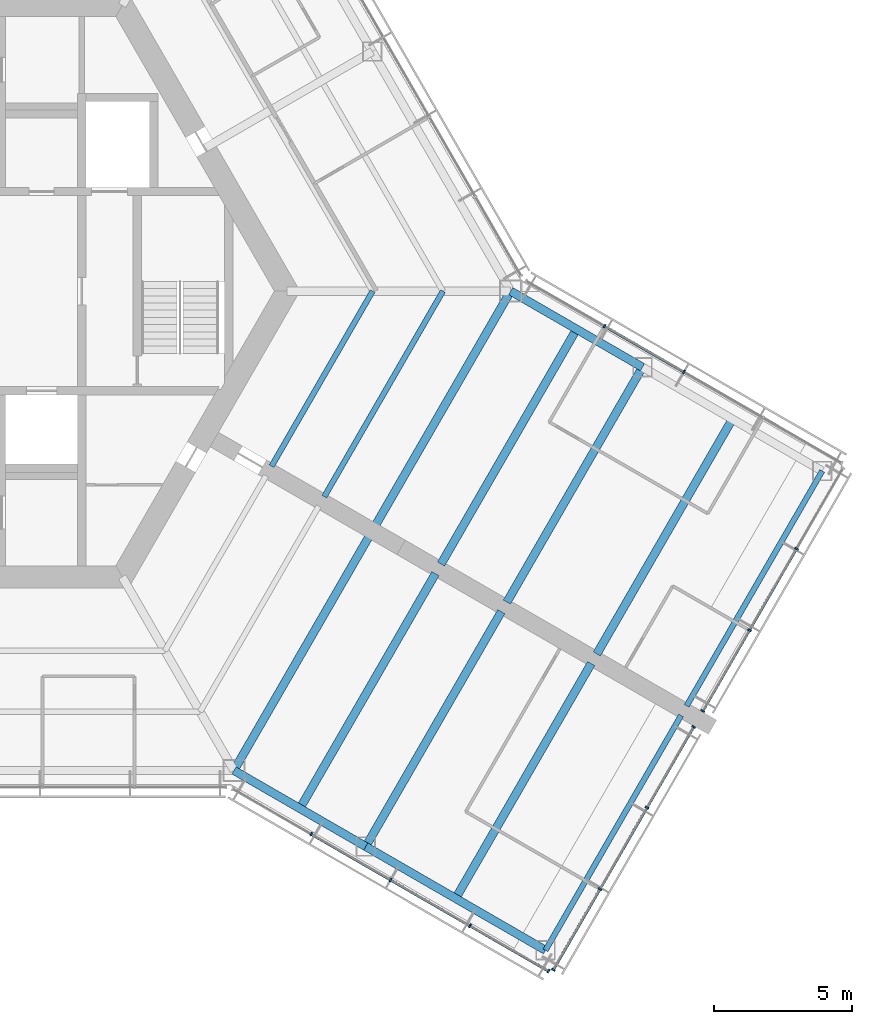
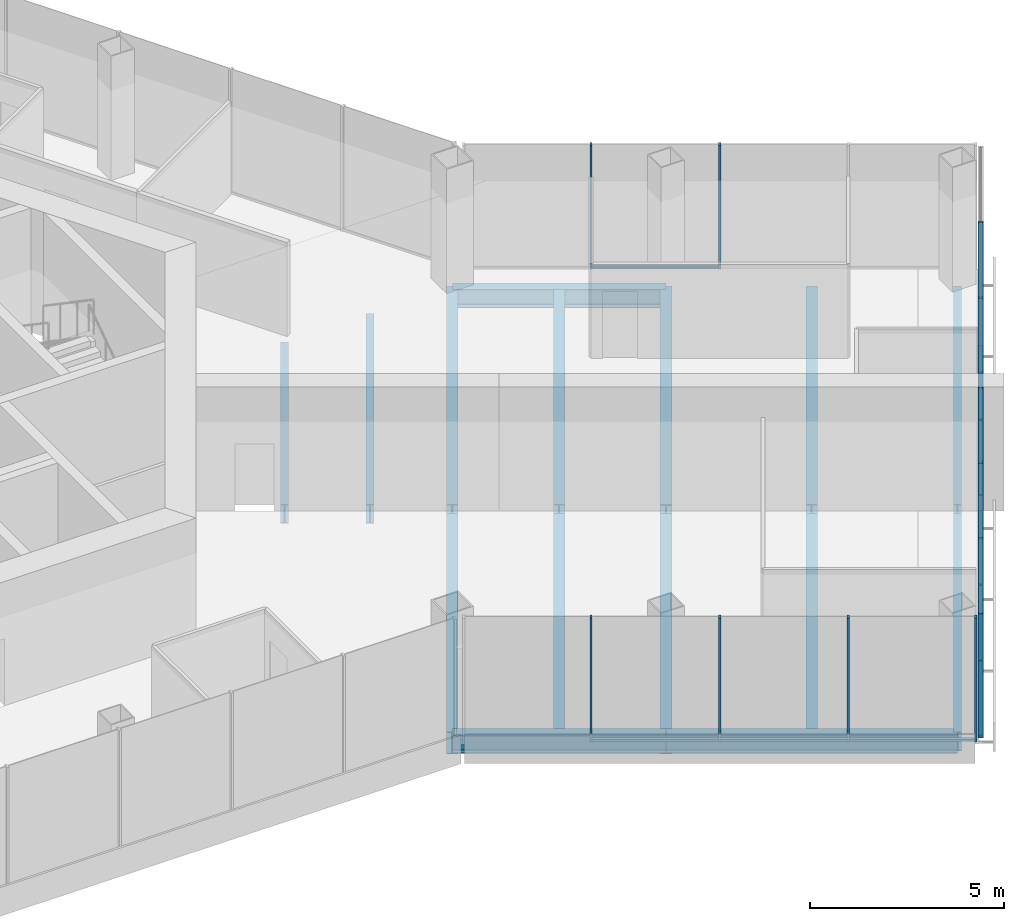
# One storey, part 4 of 16: 22 members, 15 beams, 4 elements without a shape of their own.
"""IFC4 building model written with IfcOpenShell, lengths in metres."""

import ifcopenshell
import ifcopenshell.guid

model = None  # the IFC model being written
_history = None  # IfcOwnerHistory: only IFC2X3 demands one
_inside = {}  # id of a spatial element -> (the spatial element, [elements in it])
_under = {}  # id of a project, library or spatial element -> (it, [spatial elements below it])
_declared = {}  # id of a project -> (the project, [libraries it declares])
_typed = {}  # id of a type object -> (the type object, [elements of that type])
_made_of = {}  # id of a material, layer set ... -> (it, [elements and type objects made of it])


def new_model(schema):
    """Start an empty IFC model of exactly this schema.

    Asked for "IFC4X3", IfcOpenShell would pick the latest addendum, in which some entities
    have other attributes; the version numbers below select the first issue.
    IFC2X3 requires an IfcOwnerHistory on every rooted entity: one is made here for all.
    """
    global model, _history
    if schema == "IFC4X3":
        model = ifcopenshell.file(schema_version=(4, 3, 0, 0))
    else:
        model = ifcopenshell.file(schema=schema)
    _inside.clear()
    _under.clear()
    _declared.clear()
    _typed.clear()
    _made_of.clear()
    _history = None
    if model.schema == "IFC2X3":
        org = make("IfcOrganization", Name="unknown")
        user = make(
            "IfcPersonAndOrganization",
            ThePerson=make("IfcPerson", FamilyName="unknown"),
            TheOrganization=org,
        )
        app = make(
            "IfcApplication",
            ApplicationDeveloper=org,
            Version="unknown",
            ApplicationFullName="unknown",
            ApplicationIdentifier="unknown",
        )
        _history = make(
            "IfcOwnerHistory",
            OwningUser=user,
            OwningApplication=app,
            ChangeAction="ADDED",
            CreationDate=0,
        )
    return model


def make(cls, **values):
    """One entity of the class cls with the attributes given. An attribute that is None is left unset."""
    return model.create_entity(
        cls, **{name: value for name, value in values.items() if value is not None}
    )


def rooted(cls, **values):
    """An entity with a GlobalId (a new one), such as an element, a storey or a relation."""
    return make(cls, GlobalId=ifcopenshell.guid.new(), OwnerHistory=_history, **values)


def si_unit(unit_type, name, prefix=None):
    """IfcSIUnit, for example si_unit("LENGTHUNIT", "METRE", prefix="MILLI")."""
    return make("IfcSIUnit", UnitType=unit_type, Prefix=prefix, Name=name)


def assignment(units):
    """IfcUnitAssignment: the units of a project."""
    return None if units is None else make("IfcUnitAssignment", Units=units)


def point(xyz):
    """IfcCartesianPoint."""
    return None if xyz is None else make("IfcCartesianPoint", Coordinates=xyz)


def direction(xyz):
    """IfcDirection."""
    return None if xyz is None else make("IfcDirection", DirectionRatios=xyz)


def frame(location, z_axis=None, x_axis=None):
    """IfcAxis2Placement3D, a coordinate frame: its origin and axes. An axis left out is left unset."""
    return make(
        "IfcAxis2Placement3D",
        Location=point(location),
        Axis=direction(z_axis),
        RefDirection=direction(x_axis),
    )


def frame_2d(location, x_axis=None):
    """IfcAxis2Placement2D, a coordinate frame in the plane: its origin and x axis."""
    return make(
        "IfcAxis2Placement2D", Location=point(location), RefDirection=direction(x_axis)
    )


def origin():
    """The frame at (0, 0, 0) with its axes left unset."""
    return frame((0.0, 0.0, 0.0))


def origin_2d():
    """The frame at (0, 0) in the plane with its x axis left unset."""
    return frame_2d((0.0, 0.0))


def place(relative_to, where):
    """IfcLocalPlacement: puts the frame where relative to a parent placement (None: the world)."""
    return make(
        "IfcLocalPlacement", PlacementRelTo=relative_to, RelativePlacement=where
    )


def context(
    kind, dimensions, precision=None, world=None, true_north=None, identifier=None
):
    """IfcGeometricRepresentationContext, for example the 3D "Model" context."""
    return make(
        "IfcGeometricRepresentationContext",
        ContextIdentifier=identifier,
        ContextType=kind,
        CoordinateSpaceDimension=dimensions,
        Precision=precision,
        WorldCoordinateSystem=world,
        TrueNorth=true_north,
    )


def subcontext(parent, identifier, kind, view, scale=None):
    """IfcGeometricRepresentationSubContext, for example "Body" below "Model"."""
    return make(
        "IfcGeometricRepresentationSubContext",
        ContextIdentifier=identifier,
        ContextType=kind,
        ParentContext=parent,
        TargetScale=scale,
        TargetView=view,
    )


def project(units=None, contexts=None):
    """IfcProject with its units and contexts."""
    return rooted(
        "IfcProject",
        Name="project",
        RepresentationContexts=contexts,
        UnitsInContext=assignment(units),
    )


def spatial(cls, under=None, at=None, **own):
    """A site, building, storey or space (cls), placed at a placement, below another one or the project."""
    s = rooted(cls, ObjectPlacement=at, **own)
    if under is not None:
        _under.setdefault(under.id(), (under, []))[1].append(s)
    return s


def profile(cls, at=None, kind="AREA", **sizes):
    """A parametric profile (cls). Its sizes go by their IFC names, for example OverallWidth=200.0."""
    return make(cls, ProfileType=kind, Position=at, **sizes)


def rectangle(**sizes):
    """IfcRectangleProfileDef."""
    return profile("IfcRectangleProfileDef", **sizes)


def i_section(**sizes):
    """IfcIShapeProfileDef."""
    return profile("IfcIShapeProfileDef", **sizes)


def extrude(swept, where, along, depth):
    """IfcExtrudedAreaSolid: the profile swept, set in the frame where, extruded along a direction by depth."""
    return make(
        "IfcExtrudedAreaSolid",
        SweptArea=swept,
        Position=where,
        ExtrudedDirection=direction(along),
        Depth=depth,
    )


def shape(context_of_items, identifier, shape_type, items):
    """IfcShapeRepresentation: the items that make up one representation, for example the "Body"."""
    return make(
        "IfcShapeRepresentation",
        ContextOfItems=context_of_items,
        RepresentationIdentifier=identifier,
        RepresentationType=shape_type,
        Items=items,
    )


def material(Name=None, Category=None):
    """IfcMaterial."""
    return make("IfcMaterial", Name=Name, Category=Category)


def material_profile(
    of_material, cross_section, Name=None, Category=None, Priority=None
):
    """IfcMaterialProfile: a cross section and its material."""
    return make(
        "IfcMaterialProfile",
        Name=Name,
        Material=of_material,
        Profile=cross_section,
        Priority=Priority,
        Category=Category,
    )


def profile_set(profiles, Name=None, composite=None):
    """IfcMaterialProfileSet."""
    return make(
        "IfcMaterialProfileSet",
        Name=Name,
        MaterialProfiles=profiles,
        CompositeProfile=composite,
    )


def made_of(thing, what):
    """Note that an element or type object is made of a material, layer set ...; save() writes the relation."""
    if what is not None:
        _made_of.setdefault(what.id(), (what, []))[1].append(thing)
    return thing


def type_object(cls, material=None, **own):
    """A type object (cls), such as IfcWallType, which elements share."""
    return made_of(rooted(cls, **own), material)


def element(
    cls,
    number,
    at=None,
    inside=None,
    cuts=None,
    type_object=None,
    material=None,
    context=None,
    identifier="Body",
    shape_type=None,
    held_by="IfcProductDefinitionShape",
    body=None,
    shapes=None,
    **own,
):
    """One element of the class cls, such as IfcWall. Its Tag is "e" and its number.

    at: its placement. inside: the storey or other place that contains it. cuts: it is an
    opening in that element (IfcRelVoidsElement). A single representation is given by context,
    identifier, shape_type and body (its items); several are given by shapes. held_by: the class
    of the entity that holds the representations. save() writes the other relations.
    """
    e = rooted(cls, Tag="e%d" % number, ObjectPlacement=at, **own)
    if body is not None:
        shapes = [shape(context, identifier, shape_type, body)]
    if shapes is not None:
        e.Representation = make(held_by, Representations=shapes)
    if inside is not None:
        _inside.setdefault(inside.id(), (inside, []))[1].append(e)
    if cuts is not None:
        rooted(
            "IfcRelVoidsElement", RelatingBuildingElement=cuts, RelatedOpeningElement=e
        )
    if type_object is not None:
        _typed.setdefault(type_object.id(), (type_object, []))[1].append(e)
    return made_of(e, material)


def aggregate(whole, parts):
    """IfcRelAggregates: a whole, such as a stair, and the parts it consists of."""
    return rooted("IfcRelAggregates", RelatingObject=whole, RelatedObjects=parts)


def save(model, path):
    """Write the relations noted so far, then the file.

    IfcRelAggregates (storeys below a building ...), IfcRelContainedInSpatialStructure (elements
    in a storey), IfcRelDefinesByType, IfcRelAssociatesMaterial and IfcRelDeclares: one each for
    every whole, place, type object, material and project.
    """
    for whole, parts in _under.values():
        aggregate(whole, parts)
    for where, things in _inside.values():
        rooted(
            "IfcRelContainedInSpatialStructure",
            RelatedElements=things,
            RelatingStructure=where,
        )
    for kind, things in _typed.values():
        rooted("IfcRelDefinesByType", RelatedObjects=things, RelatingType=kind)
    for what, things in _made_of.values():
        rooted("IfcRelAssociatesMaterial", RelatedObjects=things, RelatingMaterial=what)
    for by, libraries in _declared.values():
        rooted("IfcRelDeclares", RelatingContext=by, RelatedDefinitions=libraries)
    model.write(path)


model = new_model("IFC4")

# Units and contexts
model_context = context("Model", 3, precision=1e-05, world=origin(), true_north=direction((0.0, 1.0)))
body_context = subcontext(model_context, "Body", "Model", "MODEL_VIEW")
ifc_project = project(units=[si_unit("LENGTHUNIT", "METRE"), si_unit("AREAUNIT", "SQUARE_METRE"), si_unit("VOLUMEUNIT", "CUBIC_METRE"), si_unit("PLANEANGLEUNIT", "RADIAN"), si_unit("MASSUNIT", "GRAM", prefix="KILO")], contexts=[model_context])

# Site, building, storey
site_placement = place(None, origin())
site = spatial("IfcSite", under=ifc_project, at=site_placement, CompositionType="ELEMENT")
building_placement = place(site_placement, origin())
building = spatial("IfcBuilding", under=site, at=building_placement, Name="Kasaneha Research Tower", CompositionType="ELEMENT")
storey_placement = place(building_placement, frame((0.0, 0.0, 263.5)))
storey = spatial("IfcBuildingStorey", under=building, at=storey_placement, Name="L66", CompositionType="ELEMENT", Elevation=263.5)

# Beams
ifc_material_1 = material(Name="Steel SN490B", Category="steel")
ifc_material_profile_1 = material_profile(ifc_material_1, i_section(OverallWidth=0.199951171875, OverallDepth=0.60009765625, WebThickness=0.010986328125, FlangeThickness=0.01708984375, FilletRadius=0.012939453125, at=origin_2d()), Name="H-600x200x11x17")
ifc_profile_set_1 = profile_set([ifc_material_profile_1], Name="Steel SN490B")
beam_type_1 = type_object("IfcBeamType", Name="B1-3 secondary beam H-600x200x11x17", PredefinedType="JOIST", material=ifc_profile_set_1)
beam_1_placement = place(storey_placement, frame((15.010986328125, 0.0, -0.449951171875), z_axis=(-0.499974128195, -0.866040340363, 0.0), x_axis=(0.866040340363, -0.499974128195, 0.0)))
element("IfcBeam", 1, at=beam_1_placement, inside=storey, type_object=beam_type_1, Name="Secondary beam RS330R1 L66", PredefinedType="JOIST", context=body_context, shape_type="SweptSolid", body=[
    extrude(i_section(OverallWidth=0.199951171875, OverallDepth=0.60009765625, WebThickness=0.010986328125, FlangeThickness=0.01708984375, FilletRadius=0.012939453125, at=origin_2d()), origin(), (0.0, 0.0, 1.0), 7.3056640625),
])
beam_2_placement = place(storey_placement, frame((17.551513671875, 0.0, -0.449951171875), z_axis=(-0.500000102728, -0.866025344474, 0.0), x_axis=(0.866025344474, -0.500000102728, 0.0)))
element("IfcBeam", 2, at=beam_2_placement, inside=storey, type_object=beam_type_1, Name="Secondary beam RS330R2 L66", PredefinedType="JOIST", context=body_context, shape_type="SweptSolid", body=[
    extrude(i_section(OverallWidth=0.199951171875, OverallDepth=0.60009765625, WebThickness=0.010986328125, FlangeThickness=0.01708984375, FilletRadius=0.012939453125, at=origin_2d()), origin(), (0.0, 0.0, 1.0), 8.57568359375),
])
ifc_material_2 = material(Name="Steel SN490B", Category="steel")
ifc_material_profile_2 = material_profile(ifc_material_2, i_section(OverallWidth=0.300048828125, OverallDepth=0.58203125, WebThickness=0.011962890625, FlangeThickness=0.01708984375, FilletRadius=0.012939453125, at=origin_2d()), Name="H-582x300x12x17")
ifc_profile_set_2 = profile_set([ifc_material_profile_2], Name="Steel SN490B")
beam_type_2 = type_object("IfcBeamType", Name="B2-3 secondary beam H-582x300x12x17", PredefinedType="JOIST", material=ifc_profile_set_2)
for number, where, z_axis, x_axis, name in (
    (3, (12.381591796875, -18.695556640625, -0.44091796875), (0.49999201416, 0.866030014362, 0.0), (-0.866030014362, 0.49999201416, 0.0), "Secondary beam WBCP1 L66"),
    (4, (18.0107421875, -21.945556640625, -0.44091796875), (0.49999201416, 0.866030014362, 0.0), (-0.866030014362, 0.49999201416, 0.0), "Secondary beam WBCP2 L66"),
    (5, (22.381591796875, -1.375, -0.44091796875), (-0.49999201416, -0.866030014362, 0.0), (0.866030014362, -0.49999201416, 0.0), "Secondary beam WBCN1 L66"),
    (6, (28.0107421875, -4.625, -0.44091796875), (-0.49999201416, -0.866030014362, 0.0), (0.866030014362, -0.49999201416, 0.0), "Secondary beam WBCN2 L66"),
):
    element("IfcBeam", number, at=place(storey_placement, frame(where, z_axis=z_axis, x_axis=x_axis)), inside=storey, type_object=beam_type_2, Name=name, PredefinedType="JOIST", context=body_context, shape_type="SweptSolid", body=[
        extrude(i_section(OverallWidth=0.300048828125, OverallDepth=0.58203125, WebThickness=0.011962890625, FlangeThickness=0.01708984375, FilletRadius=0.012939453125, at=origin_2d()), origin(), (0.0, 0.0, 1.0), 9.800048828125),
    ])

# Curtain wall, members
ifc_material_3 = material(Name="Glass and aluminium", Category="aluminium")
curtain_wall_type = type_object("IfcCurtainWallType", Name="High-rise office curtain wall", PredefinedType="USERDEFINED", material=ifc_material_3)
curtain_wall_1_placement = place(storey_placement, origin())
curtain_wall_1 = element("IfcCurtainWall", 7, at=curtain_wall_1_placement, inside=storey, type_object=curtain_wall_type, Name="CW-O3 L66 run 06a", ObjectType="UNITISED CURTAIN WALL", PredefinedType="USERDEFINED")
ifc_material_4 = material(Name="Aluminium 6063-T6", Category="aluminium")
ifc_material_profile_3 = material_profile(ifc_material_4, rectangle(XDim=0.06005859375, YDim=0.139892578125, at=origin_2d()), Name="CW-O3 mullion 60x140")
ifc_profile_set_3 = profile_set([ifc_material_profile_3], Name="Aluminium 6063-T6")
member_type_1 = type_object("IfcMemberType", Name="CW-O3 mullion", PredefinedType="MULLION", material=ifc_profile_set_3)
member_1_placement = place(storey_placement, frame((12.792236328125, -19.62548828125, 0.0), z_axis=(0.0, 0.0, 1.0), x_axis=(0.866025411464, -0.499999986699, 0.0)))
member_1 = element("IfcMember", 8, at=member_1_placement, type_object=member_type_1, Name="CW-O3 mullion 2", PredefinedType="MULLION", context=body_context, shape_type="SweptSolid", body=[
    extrude(rectangle(XDim=0.06005859375, YDim=0.139892578125, at=origin_2d()), origin(), (0.0, 0.0, 1.0), 3.89990234375),
])
member_2_placement = place(storey_placement, frame((15.65869140625, -21.2802734375, 0.0), z_axis=(0.0, 0.0, 1.0), x_axis=(0.866025411464, -0.499999986699, 0.0)))
member_2 = element("IfcMember", 9, at=member_2_placement, type_object=member_type_1, Name="CW-O3 mullion 3", PredefinedType="MULLION", context=body_context, shape_type="SweptSolid", body=[
    extrude(rectangle(XDim=0.06005859375, YDim=0.139892578125, at=origin_2d()), origin(), (0.0, 0.0, 1.0), 3.89990234375),
])
member_3_placement = place(storey_placement, frame((18.52490234375, -22.935302734375, 0.0), z_axis=(0.0, 0.0, 1.0), x_axis=(0.866025411464, -0.499999986699, 0.0)))
member_3 = element("IfcMember", 10, at=member_3_placement, type_object=member_type_1, Name="CW-O3 mullion 4", PredefinedType="MULLION", context=body_context, shape_type="SweptSolid", body=[
    extrude(rectangle(XDim=0.06005859375, YDim=0.139892578125, at=origin_2d()), origin(), (0.0, 0.0, 1.0), 3.89990234375),
])
member_4_placement = place(storey_placement, frame((21.365478515625, -24.5751953125, 0.0), z_axis=(0.0, 0.0, 1.0), x_axis=(0.866025411464, -0.499999986699, 0.0)))
member_4 = element("IfcMember", 11, at=member_4_placement, type_object=member_type_1, Name="CW-O3 mullion 5", PredefinedType="MULLION", context=body_context, shape_type="SweptSolid", body=[
    extrude(rectangle(XDim=0.06005859375, YDim=0.139892578125, at=origin_2d()), origin(), (0.0, 0.0, 1.0), 3.89990234375),
])

curtain_wall_2_placement = place(storey_placement, origin())
curtain_wall_2 = element("IfcCurtainWall", 12, at=curtain_wall_2_placement, inside=storey, type_object=curtain_wall_type, Name="CW-O3 L66 run 07a", ObjectType="UNITISED CURTAIN WALL", PredefinedType="USERDEFINED")
member_5_placement = place(storey_placement, frame((21.54296875, -24.527587890625, 0.0), z_axis=(0.0, 0.0, 1.0), x_axis=(0.500000011442, 0.866025397178, 0.0)))
member_5 = element("IfcMember", 13, at=member_5_placement, type_object=member_type_1, Name="CW-O3 mullion 1", PredefinedType="MULLION", context=body_context, shape_type="SweptSolid", body=[
    extrude(rectangle(XDim=0.06005859375, YDim=0.139892578125, at=origin_2d()), origin(), (0.0, 0.0, 1.0), 3.89990234375),
])
member_6_placement = place(storey_placement, frame((23.22802734375, -21.609130859375, 0.0), z_axis=(0.0, 0.0, 1.0), x_axis=(0.500000011442, 0.866025397178, 0.0)))
member_6 = element("IfcMember", 14, at=member_6_placement, type_object=member_type_1, Name="CW-O3 mullion 2", PredefinedType="MULLION", context=body_context, shape_type="SweptSolid", body=[
    extrude(rectangle(XDim=0.06005859375, YDim=0.139892578125, at=origin_2d()), origin(), (0.0, 0.0, 1.0), 3.89990234375),
])
member_7_placement = place(storey_placement, frame((24.927978515625, -18.66455078125, 0.0), z_axis=(0.0, 0.0, 1.0), x_axis=(0.500000011442, 0.866025397178, 0.0)))
member_7 = element("IfcMember", 15, at=member_7_placement, type_object=member_type_1, Name="CW-O3 mullion 3", PredefinedType="MULLION", context=body_context, shape_type="SweptSolid", body=[
    extrude(rectangle(XDim=0.06005859375, YDim=0.139892578125, at=origin_2d()), origin(), (0.0, 0.0, 1.0), 3.89990234375),
])
member_8_placement = place(storey_placement, frame((26.613037109375, -15.74609375, 0.0), z_axis=(0.0, 0.0, 1.0), x_axis=(0.500000011442, 0.866025397178, 0.0)))
member_8 = element("IfcMember", 16, at=member_8_placement, type_object=member_type_1, Name="CW-O3 mullion 4", PredefinedType="MULLION", context=body_context, shape_type="SweptSolid", body=[
    extrude(rectangle(XDim=0.06005859375, YDim=0.139892578125, at=origin_2d()), origin(), (0.0, 0.0, 1.0), 3.89990234375),
])

curtain_wall_3_placement = place(storey_placement, origin())
curtain_wall_3 = element("IfcCurtainWall", 17, at=curtain_wall_3_placement, inside=storey, type_object=curtain_wall_type, Name="CW-O3 L66 run 08a", ObjectType="UNITISED CURTAIN WALL", PredefinedType="USERDEFINED")
member_9_placement = place(storey_placement, frame((26.94287109375, -15.174560546875, 0.0), z_axis=(0.0, 0.0, 1.0), x_axis=(0.500000011442, 0.866025397178, 0.0)))
member_9 = element("IfcMember", 18, at=member_9_placement, type_object=member_type_1, Name="CW-O3 mullion 1", PredefinedType="MULLION", context=body_context, shape_type="SweptSolid", body=[
    extrude(rectangle(XDim=0.06005859375, YDim=0.139892578125, at=origin_2d()), origin(), (0.0, 0.0, 1.0), 3.89990234375),
])
member_10_placement = place(storey_placement, frame((28.6279296875, -12.255859375, 0.0), z_axis=(0.0, 0.0, 1.0), x_axis=(0.500000011442, 0.866025397178, 0.0)))
member_10 = element("IfcMember", 19, at=member_10_placement, type_object=member_type_1, Name="CW-O3 mullion 2", PredefinedType="MULLION", context=body_context, shape_type="SweptSolid", body=[
    extrude(rectangle(XDim=0.06005859375, YDim=0.139892578125, at=origin_2d()), origin(), (0.0, 0.0, 1.0), 3.89990234375),
])
member_11_placement = place(storey_placement, frame((30.327880859375, -9.3115234375, 0.0), z_axis=(0.0, 0.0, 1.0), x_axis=(0.500000011442, 0.866025397178, 0.0)))
member_11 = element("IfcMember", 20, at=member_11_placement, type_object=member_type_1, Name="CW-O3 mullion 3", PredefinedType="MULLION", context=body_context, shape_type="SweptSolid", body=[
    extrude(rectangle(XDim=0.06005859375, YDim=0.139892578125, at=origin_2d()), origin(), (0.0, 0.0, 1.0), 3.89990234375),
])

curtain_wall_4_placement = place(storey_placement, origin())
curtain_wall_4 = element("IfcCurtainWall", 21, at=curtain_wall_4_placement, inside=storey, type_object=curtain_wall_type, Name="CW-O3 L66 run 09a", ObjectType="UNITISED CURTAIN WALL", PredefinedType="USERDEFINED")
member_12_placement = place(storey_placement, frame((26.258544921875, -2.920654296875, 0.0), z_axis=(0.0, 0.0, 1.0), x_axis=(-0.866025411464, 0.499999986699, 0.0)))
member_12 = element("IfcMember", 22, at=member_12_placement, type_object=member_type_1, Name="CW-O3 mullion 3", PredefinedType="MULLION", context=body_context, shape_type="SweptSolid", body=[
    extrude(rectangle(XDim=0.06005859375, YDim=0.139892578125, at=origin_2d()), origin(), (0.0, 0.0, 1.0), 3.89990234375),
])
member_13_placement = place(storey_placement, frame((23.39208984375, -1.265625, 0.0), z_axis=(0.0, 0.0, 1.0), x_axis=(-0.866025411464, 0.499999986699, 0.0)))
member_13 = element("IfcMember", 23, at=member_13_placement, type_object=member_type_1, Name="CW-O3 mullion 4", PredefinedType="MULLION", context=body_context, shape_type="SweptSolid", body=[
    extrude(rectangle(XDim=0.06005859375, YDim=0.139892578125, at=origin_2d()), origin(), (0.0, 0.0, 1.0), 3.89990234375),
])

# Member
ifc_material_5 = material(Name="Aluminium 6063-T6", Category="aluminium")
ifc_material_profile_4 = material_profile(ifc_material_5, rectangle(XDim=0.10009765625, YDim=0.06005859375, at=origin_2d()), Name="CW-O3 transom 100x60")
ifc_profile_set_4 = profile_set([ifc_material_profile_4], Name="Aluminium 6063-T6")
member_type_2 = type_object("IfcMemberType", Name="CW-O3 transom", PredefinedType="USERDEFINED", material=ifc_profile_set_4)
member_14_placement = place(storey_placement, frame((12.818115234375, -19.640380859375, 0.030029296875), z_axis=(0.866015446554, -0.500017246033, 0.0), x_axis=(0.500017246033, 0.866015446554, 0.0)))
member_14 = element("IfcMember", 24, at=member_14_placement, type_object=member_type_2, Name="CW-O3 transom 2", ObjectType="TRANSOM", PredefinedType="USERDEFINED", context=body_context, shape_type="SweptSolid", body=[
    extrude(rectangle(XDim=0.10009765625, YDim=0.06005859375, at=origin_2d()), origin(), (0.0, 0.0, 1.0), 3.25),
])

member_15_placement = place(storey_placement, frame((15.6845703125, -21.29541015625, 0.030029296875), z_axis=(0.86604797581, -0.499960902066, 0.0), x_axis=(0.499960902066, 0.86604797581, 0.0)))
member_15 = element("IfcMember", 25, at=member_15_placement, type_object=member_type_2, Name="CW-O3 transom 3", ObjectType="TRANSOM", PredefinedType="USERDEFINED", context=body_context, shape_type="SweptSolid", body=[
    extrude(rectangle(XDim=0.10009765625, YDim=0.06005859375, at=origin_2d()), origin(), (0.0, 0.0, 1.0), 3.249755859375),
])

member_16_placement = place(storey_placement, frame((18.551025390625, -22.9501953125, 0.030029296875), z_axis=(0.866022692473, -0.500004696101, 0.0), x_axis=(0.500004696101, 0.866022692473, 0.0)))
member_16 = element("IfcMember", 26, at=member_16_placement, type_object=member_type_2, Name="CW-O3 transom 4", ObjectType="TRANSOM", PredefinedType="USERDEFINED", context=body_context, shape_type="SweptSolid", body=[
    extrude(rectangle(XDim=0.10009765625, YDim=0.06005859375, at=origin_2d()), origin(), (0.0, 0.0, 1.0), 3.2197265625),
])

aggregate(curtain_wall_1, [member_1, member_2, member_3, member_4, member_14, member_15, member_16])

member_17_placement = place(storey_placement, frame((21.557861328125, -24.50146484375, 0.030029296875), z_axis=(0.500018282537, 0.866014848099, 0.0), x_axis=(-0.866014848099, 0.500018282537, 0.0)))
member_17 = element("IfcMember", 27, at=member_17_placement, type_object=member_type_2, Name="CW-O3 transom 1", ObjectType="TRANSOM", PredefinedType="USERDEFINED", context=body_context, shape_type="SweptSolid", body=[
    extrude(rectangle(XDim=0.10009765625, YDim=0.06005859375, at=origin_2d()), origin(), (0.0, 0.0, 1.0), 3.31005859375),
])

member_18_placement = place(storey_placement, frame((23.242919921875, -21.5830078125, 0.030029296875), z_axis=(0.499975549825, 0.866039519639, 0.0), x_axis=(-0.866039519639, 0.499975549825, 0.0)))
member_18 = element("IfcMember", 28, at=member_18_placement, type_object=member_type_2, Name="CW-O3 transom 2", ObjectType="TRANSOM", PredefinedType="USERDEFINED", context=body_context, shape_type="SweptSolid", body=[
    extrude(rectangle(XDim=0.10009765625, YDim=0.06005859375, at=origin_2d()), origin(), (0.0, 0.0, 1.0), 3.340087890625),
])

member_19_placement = place(storey_placement, frame((24.94287109375, -18.638671875, 0.030029296875), z_axis=(0.49998634449, 0.866033287653, 0.0), x_axis=(-0.866033287653, 0.49998634449, 0.0)))
member_19 = element("IfcMember", 29, at=member_19_placement, type_object=member_type_2, Name="CW-O3 transom 3", ObjectType="TRANSOM", PredefinedType="USERDEFINED", context=body_context, shape_type="SweptSolid", body=[
    extrude(rectangle(XDim=0.10009765625, YDim=0.06005859375, at=origin_2d()), origin(), (0.0, 0.0, 1.0), 3.31005859375),
])

aggregate(curtain_wall_2, [member_5, member_6, member_7, member_8, member_17, member_18, member_19])

member_20_placement = place(storey_placement, frame((26.9580078125, -15.1484375, 0.030029296875), z_axis=(0.500018282537, 0.866014848099, 0.0), x_axis=(-0.866014848099, 0.500018282537, 0.0)))
member_20 = element("IfcMember", 30, at=member_20_placement, type_object=member_type_2, Name="CW-O3 transom 1", ObjectType="TRANSOM", PredefinedType="USERDEFINED", context=body_context, shape_type="SweptSolid", body=[
    extrude(rectangle(XDim=0.10009765625, YDim=0.06005859375, at=origin_2d()), origin(), (0.0, 0.0, 1.0), 3.31005859375),
])

member_21_placement = place(storey_placement, frame((28.64306640625, -12.22998046875, 0.030029296875), z_axis=(0.499975549825, 0.866039519639, 0.0), x_axis=(-0.866039519639, 0.499975549825, 0.0)))
member_21 = element("IfcMember", 31, at=member_21_placement, type_object=member_type_2, Name="CW-O3 transom 2", ObjectType="TRANSOM", PredefinedType="USERDEFINED", context=body_context, shape_type="SweptSolid", body=[
    extrude(rectangle(XDim=0.10009765625, YDim=0.06005859375, at=origin_2d()), origin(), (0.0, 0.0, 1.0), 3.340087890625),
])

aggregate(curtain_wall_3, [member_9, member_10, member_11, member_20, member_21])

member_22_placement = place(storey_placement, frame((26.232666015625, -2.905517578125, 0.030029296875), z_axis=(-0.86604797581, 0.499960902066, 0.0), x_axis=(-0.499960902066, -0.86604797581, 0.0)))
member_22 = element("IfcMember", 32, at=member_22_placement, type_object=member_type_2, Name="CW-O3 transom 3", ObjectType="TRANSOM", PredefinedType="USERDEFINED", context=body_context, shape_type="SweptSolid", body=[
    extrude(rectangle(XDim=0.10009765625, YDim=0.06005859375, at=origin_2d()), origin(), (0.0, 0.0, 1.0), 3.249755859375),
])

aggregate(curtain_wall_4, [member_12, member_13, member_22])

# Beams
ifc_material_6 = material(Name="Steel SN490B", Category="steel")
ifc_material_profile_5 = material_profile(ifc_material_6, i_section(OverallWidth=0.300048828125, OverallDepth=0.69189453125, WebThickness=0.012939453125, FlangeThickness=0.02001953125, FilletRadius=0.01806640625, at=origin_2d()), Name="H-692x300x13x20")
ifc_profile_set_5 = profile_set([ifc_material_profile_5], Name="Steel SN490B")
beam_type_3 = type_object("IfcBeamType", Name="G3-3 plate edge girder H-692x300x13x20", PredefinedType="BEAM", material=ifc_profile_set_5)
for number, where, z_axis, x_axis, name in (
    (33, (10.0, -17.320556640625, -0.49609375), (0.49999201416, 0.866030014362, 0.0), (-0.866030014362, 0.49999201416, 0.0), "Plate edge girder PECP L66"),
    (34, (20.0, 0.0, -0.49609375), (-0.49999201416, -0.866030014362, 0.0), (0.866030014362, -0.49999201416, 0.0), "Plate edge girder PECN L66"),
):
    element("IfcBeam", number, at=place(storey_placement, frame(where, z_axis=z_axis, x_axis=x_axis)), inside=storey, type_object=beam_type_3, Name=name, PredefinedType="BEAM", context=body_context, shape_type="SweptSolid", body=[
        extrude(i_section(OverallWidth=0.300048828125, OverallDepth=0.69189453125, WebThickness=0.012939453125, FlangeThickness=0.02001953125, FilletRadius=0.01806640625, at=origin_2d()), origin(), (0.0, 0.0, 1.0), 9.800048828125),
    ])
ifc_material_7 = material(Name="Steel SN490B", Category="steel")
ifc_material_profile_6 = material_profile(ifc_material_7, i_section(OverallWidth=0.300048828125, OverallDepth=0.699951171875, WebThickness=0.012939453125, FlangeThickness=0.02392578125, FilletRadius=0.01806640625, at=origin_2d()), Name="H-700x300x13x24")
ifc_profile_set_6 = profile_set([ifc_material_profile_6], Name="Steel SN490B")
beam_type_4 = type_object("IfcBeamType", Name="G4-3 wing girder H-700x300x13x24", PredefinedType="BEAM", material=ifc_profile_set_6)
for number, where, z_axis, x_axis, name in (
    (35, (14.76318359375, -20.070556640625, -0.5), (0.49999201416, 0.866030014362, 0.0), (-0.866030014362, 0.49999201416, 0.0), "Wing girder WGCP L66"),
    (36, (24.76318359375, -2.75, -0.5), (-0.500010698315, -0.866019227021, 0.0), (0.866019227021, -0.500010698315, 0.0), "Wing girder WGCN L66"),
):
    element("IfcBeam", number, at=place(storey_placement, frame(where, z_axis=z_axis, x_axis=x_axis)), inside=storey, type_object=beam_type_4, Name=name, PredefinedType="BEAM", context=body_context, shape_type="SweptSolid", body=[
        extrude(i_section(OverallWidth=0.300048828125, OverallDepth=0.699951171875, WebThickness=0.012939453125, FlangeThickness=0.02392578125, FilletRadius=0.01806640625, at=origin_2d()), origin(), (0.0, 0.0, 1.0), 9.800048828125),
    ])
ifc_material_8 = material(Name="Steel SN490B", Category="steel")
ifc_material_profile_7 = material_profile(ifc_material_8, i_section(OverallWidth=0.300048828125, OverallDepth=0.58203125, WebThickness=0.011962890625, FlangeThickness=0.01708984375, FilletRadius=0.012939453125, at=origin_2d()), Name="H-582x300x12x17")
ifc_profile_set_7 = profile_set([ifc_material_profile_7], Name="Steel SN490B")
beam_type_5 = type_object("IfcBeamType", Name="SB2-3 spandrel beam H-582x300x12x17", PredefinedType="SPANDREL", material=ifc_profile_set_7)
beam_3_placement = place(storey_placement, frame((10.0, -17.320556640625, -0.44091796875), z_axis=(0.866027397988, -0.499996545922, 0.0), x_axis=(0.499996545922, 0.866027397988, 0.0)))
element("IfcBeam", 37, at=beam_3_placement, inside=storey, type_object=beam_type_5, Name="Spandrel beam WSCP1 L66", PredefinedType="SPANDREL", context=body_context, shape_type="SweptSolid", body=[
    extrude(i_section(OverallWidth=0.300048828125, OverallDepth=0.58203125, WebThickness=0.011962890625, FlangeThickness=0.01708984375, FilletRadius=0.012939453125, at=origin_2d()), origin(), (0.0, 0.0, 1.0), 5.5),
])
beam_4_placement = place(storey_placement, frame((14.76318359375, -20.070556640625, -0.44091796875), z_axis=(0.866022959057, -0.500004234368, 0.0), x_axis=(0.500004234368, 0.866022959057, 0.0)))
element("IfcBeam", 38, at=beam_4_placement, inside=storey, type_object=beam_type_5, Name="Spandrel beam WSCP2 L66", PredefinedType="SPANDREL", context=body_context, shape_type="SweptSolid", body=[
    extrude(i_section(OverallWidth=0.300048828125, OverallDepth=0.58203125, WebThickness=0.011962890625, FlangeThickness=0.01708984375, FilletRadius=0.012939453125, at=origin_2d()), origin(), (0.0, 0.0, 1.0), 7.5),
])
beam_5_placement = place(storey_placement, frame((20.0, 0.0, -0.44091796875), z_axis=(0.866027397988, -0.499996545922, 0.0), x_axis=(0.499996545922, 0.866027397988, 0.0)))
element("IfcBeam", 39, at=beam_5_placement, inside=storey, type_object=beam_type_5, Name="Spandrel beam WSCN1 L66", PredefinedType="SPANDREL", context=body_context, shape_type="SweptSolid", body=[
    extrude(i_section(OverallWidth=0.300048828125, OverallDepth=0.58203125, WebThickness=0.011962890625, FlangeThickness=0.01708984375, FilletRadius=0.012939453125, at=origin_2d()), origin(), (0.0, 0.0, 1.0), 5.5),
])
ifc_material_9 = material(Name="Steel SN490B", Category="steel")
ifc_material_profile_8 = material_profile(ifc_material_9, i_section(OverallWidth=0.199951171875, OverallDepth=0.60009765625, WebThickness=0.010986328125, FlangeThickness=0.01708984375, FilletRadius=0.012939453125, at=origin_2d()), Name="H-600x200x11x17")
ifc_profile_set_8 = profile_set([ifc_material_profile_8], Name="Steel SN490B")
beam_type_6 = type_object("IfcBeamType", Name="SB3-3 spandrel beam H-600x200x11x17", PredefinedType="SPANDREL", material=ifc_profile_set_8)
for number, where, z_axis, x_axis, name in (
    (40, (21.25830078125, -23.820556640625, -0.449951171875), (0.500010698315, 0.866019227021, 0.0), (-0.866019227021, 0.500010698315, 0.0), "Spandrel beam WTCP L66"),
    (41, (31.25830078125, -6.5, -0.449951171875), (-0.49999201416, -0.866030014362, 0.0), (0.866030014362, -0.49999201416, 0.0), "Spandrel beam WTCN L66"),
):
    element("IfcBeam", number, at=place(storey_placement, frame(where, z_axis=z_axis, x_axis=x_axis)), inside=storey, type_object=beam_type_6, Name=name, PredefinedType="SPANDREL", context=body_context, shape_type="SweptSolid", body=[
        extrude(i_section(OverallWidth=0.199951171875, OverallDepth=0.60009765625, WebThickness=0.010986328125, FlangeThickness=0.01708984375, FilletRadius=0.012939453125, at=origin_2d()), origin(), (0.0, 0.0, 1.0), 9.800048828125),
    ])

save(model, "model.ifc")
